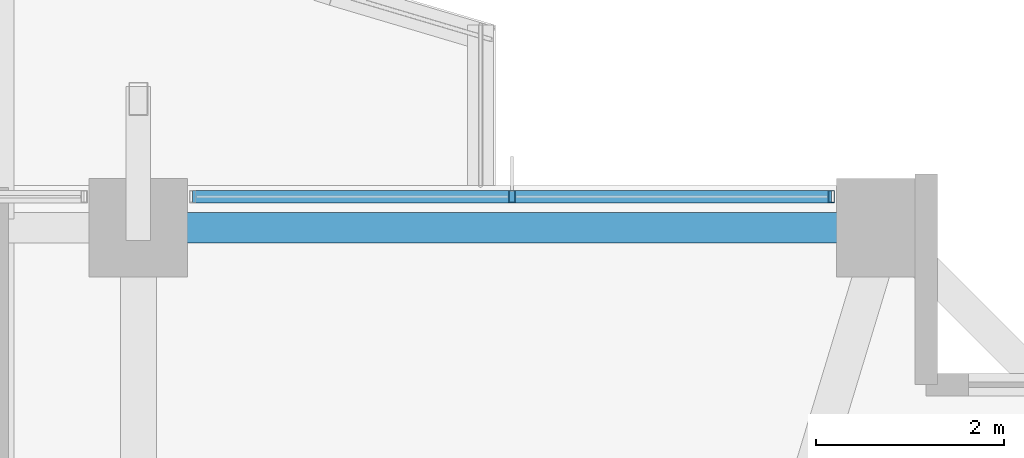
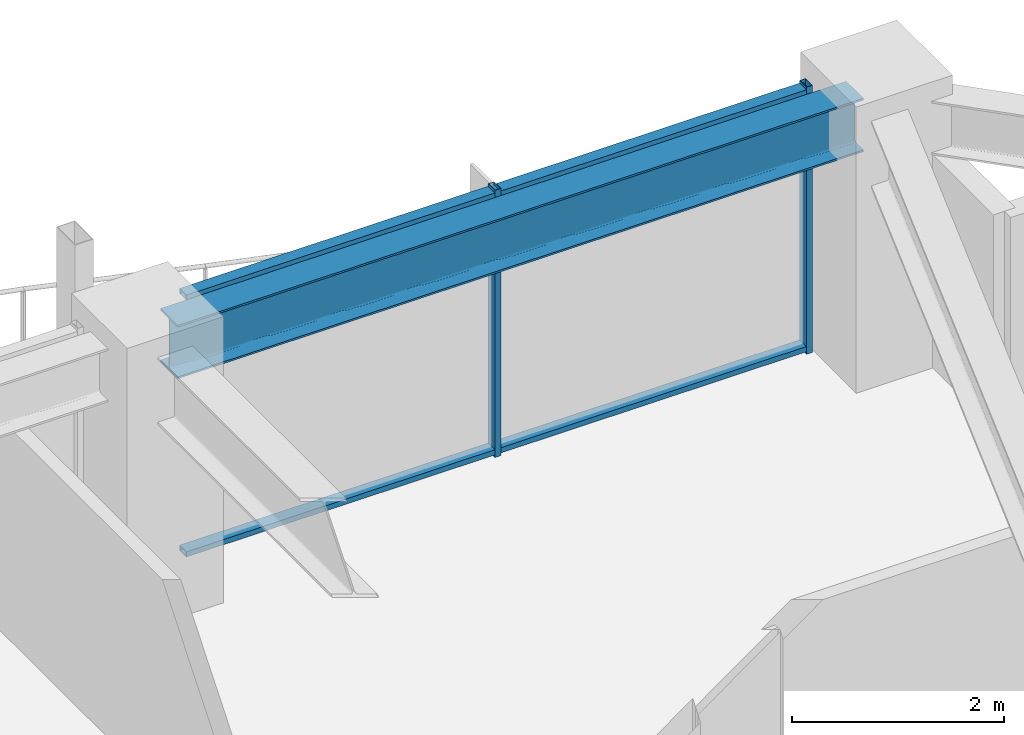
# One storey, part 18 of 31: 4 members, 1 beam, 1 element without a shape of its own.
"""IFC4 building model written with IfcOpenShell, lengths in metres."""

from ifc_helpers import new_model, si_unit, direction, frame, origin, origin_2d, place, context, subcontext, project, spatial, hollow_rectangle, i_section, extrude, material, material_profile, profile_set, type_object, element, aggregate, save


model = new_model("IFC4")

# Units and contexts
model_context = context("Model", 3, precision=1e-05, world=origin(), true_north=direction((0.0, 1.0)))
body_context = subcontext(model_context, "Body", "Model", "MODEL_VIEW")
ifc_project = project(units=[si_unit("LENGTHUNIT", "METRE"), si_unit("AREAUNIT", "SQUARE_METRE"), si_unit("VOLUMEUNIT", "CUBIC_METRE"), si_unit("PLANEANGLEUNIT", "RADIAN"), si_unit("MASSUNIT", "GRAM", prefix="KILO")], contexts=[model_context])

# Site, building, storey
site_placement = place(None, origin())
site = spatial("IfcSite", under=ifc_project, at=site_placement, CompositionType="ELEMENT")
building_placement = place(site_placement, origin())
building = spatial("IfcBuilding", under=site, at=building_placement, Name="Kolvaren Belvedere", CompositionType="ELEMENT")
storey_placement = place(building_placement, frame((0.0, 0.0, 118.39990234375)))
storey = spatial("IfcBuildingStorey", under=building, at=storey_placement, Name="L34", CompositionType="ELEMENT", Elevation=118.39990234375)

# Beam
ifc_material_1 = material(Name="Structural steel ASTM A992 Grade 50", Category="steel")
ifc_material_profile_1 = material_profile(ifc_material_1, i_section(OverallWidth=0.324951171875, OverallDepth=0.615966796875, WebThickness=0.013916015625, FlangeThickness=0.021484375, FilletRadius=0.02001953125, at=origin_2d()), Name="W24X117")
ifc_profile_set_1 = profile_set([ifc_material_profile_1], Name="Structural steel ASTM A992 Grade 50")
beam_type = type_object("IfcBeamType", Name="BM-SPAN-W24X117", PredefinedType="SPANDREL", material=ifc_profile_set_1)
beam_placement = place(storey_placement, frame((12.313720703125, 18.64990234375, 2.772216796875), z_axis=(-1.0, 0.0, 0.0), x_axis=(0.0, -1.0, 0.0)))
element("IfcBeam", 1, at=beam_placement, inside=storey, type_object=beam_type, Name="L34 Perimeter Spandrel N4-N3", PredefinedType="SPANDREL", context=body_context, shape_type="SweptSolid", body=[
    extrude(i_section(OverallWidth=0.324951171875, OverallDepth=0.615966796875, WebThickness=0.013916015625, FlangeThickness=0.021484375, FilletRadius=0.02001953125, at=origin_2d()), origin(), (0.0, 0.0, 1.0), 7.4775390625),
])

# Curtain wall, members
ifc_material_2 = material(Name="Anodised pale-metal aluminium AA 6063-T6", Category="aluminium")
curtain_wall_type = type_object("IfcCurtainWallType", Name="CW-Z3-WAIST", PredefinedType="NOTDEFINED", material=ifc_material_2)
curtain_wall_placement = place(storey_placement, origin())
curtain_wall = element("IfcCurtainWall", 2, at=curtain_wall_placement, inside=storey, type_object=curtain_wall_type, Name="L34 Unitised Curtain Wall FCW-L34-N2-B2", PredefinedType="NOTDEFINED")
ifc_material_3 = material(Name="Anodised pale-metal aluminium AA 6063-T6", Category="aluminium")
ifc_material_profile_2 = material_profile(ifc_material_3, hollow_rectangle(XDim=0.06494140625, YDim=0.1298828125, WallThickness=0.00390625, at=origin_2d()), Name="ALU-MUL-130X65")
ifc_profile_set_2 = profile_set([ifc_material_profile_2], Name="Anodised pale-metal aluminium AA 6063-T6")
member_type_1 = type_object("IfcMemberType", Name="CW-MUL-130", PredefinedType="MULLION", material=ifc_profile_set_2)
member_1_placement = place(storey_placement, frame((8.574951171875, 18.97998046875, 0.0), z_axis=(0.0, 0.0, 1.0), x_axis=(1.0, 0.0, 0.0)))
member_1 = element("IfcMember", 3, at=member_1_placement, type_object=member_type_1, Name="FCW-L34-N2-B2 Unitised Mullion 2", PredefinedType="MULLION", context=body_context, shape_type="SweptSolid", body=[
    extrude(hollow_rectangle(XDim=0.06494140625, YDim=0.1298828125, WallThickness=0.00390625, at=origin_2d()), origin(), (0.0, 0.0, 1.0), 3.080078125),
])
member_2_placement = place(storey_placement, frame((11.972412109375, 18.97998046875, 0.0), z_axis=(0.0, 0.0, 1.0), x_axis=(1.0, 0.0, 0.0)))
member_2 = element("IfcMember", 4, at=member_2_placement, type_object=member_type_1, Name="FCW-L34-N2-B2 Unitised Mullion 3", PredefinedType="MULLION", context=body_context, shape_type="SweptSolid", body=[
    extrude(hollow_rectangle(XDim=0.06494140625, YDim=0.1298828125, WallThickness=0.00390625, at=origin_2d()), origin(), (0.0, 0.0, 1.0), 3.080078125),
])
ifc_material_4 = material(Name="Anodised pale-metal aluminium AA 6063-T6", Category="aluminium")
ifc_material_profile_3 = material_profile(ifc_material_4, hollow_rectangle(XDim=0.06005859375, YDim=0.1298828125, WallThickness=0.00390625, at=origin_2d()), Name="ALU-TRN-130X60")
ifc_profile_set_3 = profile_set([ifc_material_profile_3], Name="Anodised pale-metal aluminium AA 6063-T6")
member_type_2 = type_object("IfcMemberType", Name="CW-TRN-130", PredefinedType="USERDEFINED", material=ifc_profile_set_3)
member_3_placement = place(storey_placement, frame((5.177490234375, 18.97998046875, 0.06005859375), z_axis=(1.0, 0.0, 0.0), x_axis=(0.0, 0.0, 1.0)))
member_3 = element("IfcMember", 5, at=member_3_placement, type_object=member_type_2, Name="FCW-L34-N2-B2 Sill Transom", ObjectType="TRANSOM", PredefinedType="USERDEFINED", context=body_context, shape_type="SweptSolid", body=[
    extrude(hollow_rectangle(XDim=0.06005859375, YDim=0.1298828125, WallThickness=0.00390625, at=origin_2d()), origin(), (0.0, 0.0, 1.0), 6.794921875),
])
member_4_placement = place(storey_placement, frame((5.177490234375, 18.97998046875, 3.02001953125), z_axis=(1.0, 0.0, 0.0), x_axis=(0.0, 0.0, 1.0)))
member_4 = element("IfcMember", 6, at=member_4_placement, type_object=member_type_2, Name="FCW-L34-N2-B2 Head Transom", ObjectType="TRANSOM", PredefinedType="USERDEFINED", context=body_context, shape_type="SweptSolid", body=[
    extrude(hollow_rectangle(XDim=0.06005859375, YDim=0.1298828125, WallThickness=0.00390625, at=origin_2d()), origin(), (0.0, 0.0, 1.0), 6.794921875),
])
aggregate(curtain_wall, [member_1, member_2, member_3, member_4])

save(model, "model.ifc")
